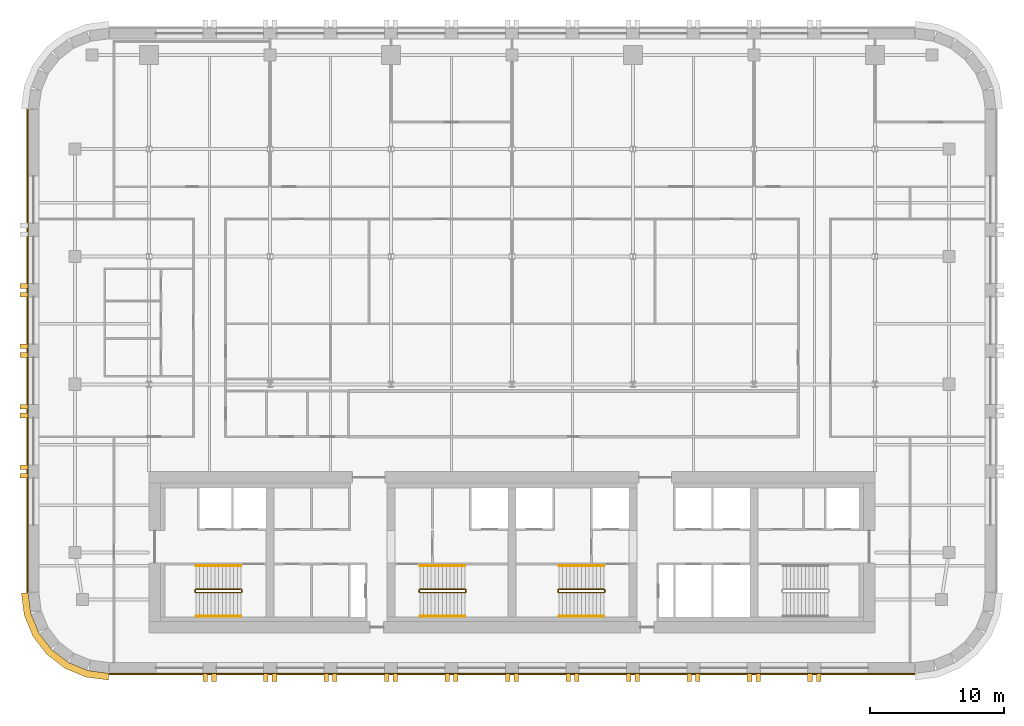
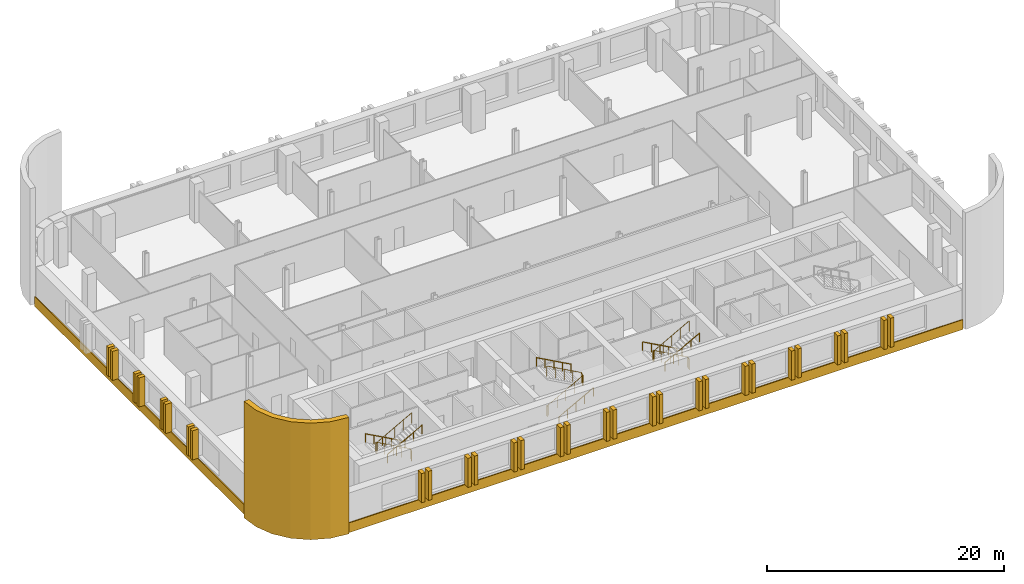
# One storey, part 8 of 9: 33 coverings, 9 railings.
"""IFC4 building model written with IfcOpenShell, lengths in metres."""

import ifcopenshell
import ifcopenshell.guid

model = None  # the IFC model being written
_history = None  # IfcOwnerHistory: only IFC2X3 demands one
_inside = {}  # id of a spatial element -> (the spatial element, [elements in it])
_under = {}  # id of a project, library or spatial element -> (it, [spatial elements below it])
_declared = {}  # id of a project -> (the project, [libraries it declares])
_typed = {}  # id of a type object -> (the type object, [elements of that type])
_made_of = {}  # id of a material, layer set ... -> (it, [elements and type objects made of it])


def new_model(schema):
    """Start an empty IFC model of exactly this schema.

    Asked for "IFC4X3", IfcOpenShell would pick the latest addendum, in which some entities
    have other attributes; the version numbers below select the first issue.
    IFC2X3 requires an IfcOwnerHistory on every rooted entity: one is made here for all.
    """
    global model, _history
    if schema == "IFC4X3":
        model = ifcopenshell.file(schema_version=(4, 3, 0, 0))
    else:
        model = ifcopenshell.file(schema=schema)
    _inside.clear()
    _under.clear()
    _declared.clear()
    _typed.clear()
    _made_of.clear()
    _history = None
    if model.schema == "IFC2X3":
        org = make("IfcOrganization", Name="unknown")
        user = make(
            "IfcPersonAndOrganization",
            ThePerson=make("IfcPerson", FamilyName="unknown"),
            TheOrganization=org,
        )
        app = make(
            "IfcApplication",
            ApplicationDeveloper=org,
            Version="unknown",
            ApplicationFullName="unknown",
            ApplicationIdentifier="unknown",
        )
        _history = make(
            "IfcOwnerHistory",
            OwningUser=user,
            OwningApplication=app,
            ChangeAction="ADDED",
            CreationDate=0,
        )
    return model


def make(cls, **values):
    """One entity of the class cls with the attributes given. An attribute that is None is left unset."""
    return model.create_entity(
        cls, **{name: value for name, value in values.items() if value is not None}
    )


def rooted(cls, **values):
    """An entity with a GlobalId (a new one), such as an element, a storey or a relation."""
    return make(cls, GlobalId=ifcopenshell.guid.new(), OwnerHistory=_history, **values)


def si_unit(unit_type, name, prefix=None):
    """IfcSIUnit, for example si_unit("LENGTHUNIT", "METRE", prefix="MILLI")."""
    return make("IfcSIUnit", UnitType=unit_type, Prefix=prefix, Name=name)


def assignment(units):
    """IfcUnitAssignment: the units of a project."""
    return None if units is None else make("IfcUnitAssignment", Units=units)


def point(xyz):
    """IfcCartesianPoint."""
    return None if xyz is None else make("IfcCartesianPoint", Coordinates=xyz)


def direction(xyz):
    """IfcDirection."""
    return None if xyz is None else make("IfcDirection", DirectionRatios=xyz)


def frame(location, z_axis=None, x_axis=None):
    """IfcAxis2Placement3D, a coordinate frame: its origin and axes. An axis left out is left unset."""
    return make(
        "IfcAxis2Placement3D",
        Location=point(location),
        Axis=direction(z_axis),
        RefDirection=direction(x_axis),
    )


def frame_2d(location, x_axis=None):
    """IfcAxis2Placement2D, a coordinate frame in the plane: its origin and x axis."""
    return make(
        "IfcAxis2Placement2D", Location=point(location), RefDirection=direction(x_axis)
    )


def origin():
    """The frame at (0, 0, 0) with its axes left unset."""
    return frame((0.0, 0.0, 0.0))


def origin_2d():
    """The frame at (0, 0) in the plane with its x axis left unset."""
    return frame_2d((0.0, 0.0))


def place(relative_to, where):
    """IfcLocalPlacement: puts the frame where relative to a parent placement (None: the world)."""
    return make(
        "IfcLocalPlacement", PlacementRelTo=relative_to, RelativePlacement=where
    )


def context(
    kind, dimensions, precision=None, world=None, true_north=None, identifier=None
):
    """IfcGeometricRepresentationContext, for example the 3D "Model" context."""
    return make(
        "IfcGeometricRepresentationContext",
        ContextIdentifier=identifier,
        ContextType=kind,
        CoordinateSpaceDimension=dimensions,
        Precision=precision,
        WorldCoordinateSystem=world,
        TrueNorth=true_north,
    )


def subcontext(parent, identifier, kind, view, scale=None):
    """IfcGeometricRepresentationSubContext, for example "Body" below "Model"."""
    return make(
        "IfcGeometricRepresentationSubContext",
        ContextIdentifier=identifier,
        ContextType=kind,
        ParentContext=parent,
        TargetScale=scale,
        TargetView=view,
    )


def project(units=None, contexts=None):
    """IfcProject with its units and contexts."""
    return rooted(
        "IfcProject",
        Name="project",
        RepresentationContexts=contexts,
        UnitsInContext=assignment(units),
    )


def spatial(cls, under=None, at=None, **own):
    """A site, building, storey or space (cls), placed at a placement, below another one or the project."""
    s = rooted(cls, ObjectPlacement=at, **own)
    if under is not None:
        _under.setdefault(under.id(), (under, []))[1].append(s)
    return s


def polyline(points):
    """IfcPolyline through the points."""
    return make("IfcPolyline", Points=[point(p) for p in points])


def profile(cls, at=None, kind="AREA", **sizes):
    """A parametric profile (cls). Its sizes go by their IFC names, for example OverallWidth=200.0."""
    return make(cls, ProfileType=kind, Position=at, **sizes)


def circle(**sizes):
    """IfcCircleProfileDef."""
    return profile("IfcCircleProfileDef", **sizes)


def outline(outer, holes=None, kind="AREA"):
    """IfcArbitraryClosedProfileDef: a profile drawn as a closed curve; with holes, ...WithVoids."""
    if holes is None:
        return make("IfcArbitraryClosedProfileDef", ProfileType=kind, OuterCurve=outer)
    return make(
        "IfcArbitraryProfileDefWithVoids",
        ProfileType=kind,
        OuterCurve=outer,
        InnerCurves=holes,
    )


def extrude(swept, where, along, depth):
    """IfcExtrudedAreaSolid: the profile swept, set in the frame where, extruded along a direction by depth."""
    return make(
        "IfcExtrudedAreaSolid",
        SweptArea=swept,
        Position=where,
        ExtrudedDirection=direction(along),
        Depth=depth,
    )


def shape(context_of_items, identifier, shape_type, items):
    """IfcShapeRepresentation: the items that make up one representation, for example the "Body"."""
    return make(
        "IfcShapeRepresentation",
        ContextOfItems=context_of_items,
        RepresentationIdentifier=identifier,
        RepresentationType=shape_type,
        Items=items,
    )


def material(Name=None, Category=None):
    """IfcMaterial."""
    return make("IfcMaterial", Name=Name, Category=Category)


def layer(
    of_material, thickness, ventilated=None, Name=None, Category=None, Priority=None
):
    """IfcMaterialLayer: one layer of a wall or slab, of a material (None: an air gap)."""
    return make(
        "IfcMaterialLayer",
        Material=of_material,
        LayerThickness=thickness,
        IsVentilated=ventilated,
        Name=Name,
        Category=Category,
        Priority=Priority,
    )


def layer_set(layers, Name=None):
    """IfcMaterialLayerSet."""
    return make("IfcMaterialLayerSet", MaterialLayers=layers, LayerSetName=Name)


def made_of(thing, what):
    """Note that an element or type object is made of a material, layer set ...; save() writes the relation."""
    if what is not None:
        _made_of.setdefault(what.id(), (what, []))[1].append(thing)
    return thing


def type_object(cls, material=None, **own):
    """A type object (cls), such as IfcWallType, which elements share."""
    return made_of(rooted(cls, **own), material)


def element(
    cls,
    number,
    at=None,
    inside=None,
    cuts=None,
    type_object=None,
    material=None,
    context=None,
    identifier="Body",
    shape_type=None,
    held_by="IfcProductDefinitionShape",
    body=None,
    shapes=None,
    **own,
):
    """One element of the class cls, such as IfcWall. Its Tag is "e" and its number.

    at: its placement. inside: the storey or other place that contains it. cuts: it is an
    opening in that element (IfcRelVoidsElement). A single representation is given by context,
    identifier, shape_type and body (its items); several are given by shapes. held_by: the class
    of the entity that holds the representations. save() writes the other relations.
    """
    e = rooted(cls, Tag="e%d" % number, ObjectPlacement=at, **own)
    if body is not None:
        shapes = [shape(context, identifier, shape_type, body)]
    if shapes is not None:
        e.Representation = make(held_by, Representations=shapes)
    if inside is not None:
        _inside.setdefault(inside.id(), (inside, []))[1].append(e)
    if cuts is not None:
        rooted(
            "IfcRelVoidsElement", RelatingBuildingElement=cuts, RelatedOpeningElement=e
        )
    if type_object is not None:
        _typed.setdefault(type_object.id(), (type_object, []))[1].append(e)
    return made_of(e, material)


def aggregate(whole, parts):
    """IfcRelAggregates: a whole, such as a stair, and the parts it consists of."""
    return rooted("IfcRelAggregates", RelatingObject=whole, RelatedObjects=parts)


def save(model, path):
    """Write the relations noted so far, then the file.

    IfcRelAggregates (storeys below a building ...), IfcRelContainedInSpatialStructure (elements
    in a storey), IfcRelDefinesByType, IfcRelAssociatesMaterial and IfcRelDeclares: one each for
    every whole, place, type object, material and project.
    """
    for whole, parts in _under.values():
        aggregate(whole, parts)
    for where, things in _inside.values():
        rooted(
            "IfcRelContainedInSpatialStructure",
            RelatedElements=things,
            RelatingStructure=where,
        )
    for kind, things in _typed.values():
        rooted("IfcRelDefinesByType", RelatedObjects=things, RelatingType=kind)
    for what, things in _made_of.values():
        rooted("IfcRelAssociatesMaterial", RelatedObjects=things, RelatingMaterial=what)
    for by, libraries in _declared.values():
        rooted("IfcRelDeclares", RelatingContext=by, RelatedDefinitions=libraries)
    model.write(path)


model = new_model("IFC4")

# Units and contexts
model_context = context("Model", 3, precision=1e-05, world=origin(), true_north=direction((0.0, 1.0)))
body_context = subcontext(model_context, "Body", "Model", "MODEL_VIEW")
ifc_project = project(units=[si_unit("LENGTHUNIT", "METRE"), si_unit("AREAUNIT", "SQUARE_METRE"), si_unit("VOLUMEUNIT", "CUBIC_METRE"), si_unit("PLANEANGLEUNIT", "RADIAN"), si_unit("MASSUNIT", "GRAM", prefix="KILO")], contexts=[model_context])

# Site, building, storey
site_placement = place(None, origin())
site = spatial("IfcSite", under=ifc_project, at=site_placement, CompositionType="ELEMENT")
building_placement = place(site_placement, origin())
building = spatial("IfcBuilding", under=site, at=building_placement, Name="Zellij Exchange Tower", CompositionType="ELEMENT")
storey_placement = place(building_placement, frame((0.0, 0.0, 176.5)))
storey = spatial("IfcBuildingStorey", under=building, at=storey_placement, Name="L40", CompositionType="ELEMENT", Elevation=176.5)

# Railings
ifc_material_1 = material(Name="Stainless steel", Category="steel")
railing_type_1 = type_object("IfcRailingType", Name="CORE-RG stair guard", PredefinedType="GUARDRAIL", material=ifc_material_1)
railing_1_placement = place(storey_placement, frame((-20.10009765625, -10.800048828125, 0.0)))
element("IfcRailing", 1, at=railing_1_placement, inside=storey, type_object=railing_type_1, Name="ST1 stair guard L40", PredefinedType="GUARDRAIL", context=body_context, shape_type="SweptSolid", body=[
    extrude(circle(Radius=0.02392578125, at=origin_2d()), frame((0.0, 0.0, 1.076171875), z_axis=(0.0, -1.0, 0.0), x_axis=(1.0, 0.0, 0.0)), (0.0, 0.0, 1.0), 0.14990234375),
    extrude(circle(Radius=0.02392578125, at=origin_2d()), frame((0.0, -0.14990234375, 1.076171875), z_axis=(-0.193691321961, 0.777613689637, 0.598164376644), x_axis=(-0.970351222016, -0.241699205484, 0.0)), (0.0, 0.0, 1.0), 0.257080078125),
    extrude(circle(Radius=0.02392578125, at=origin_2d()), frame((-0.0498046875, 0.050048828125, 1.22998046875), z_axis=(-0.876421534553, 0.0, 0.481544695509), x_axis=(0.0, -1.0, 0.0)), (0.0, 0.0, 1.0), 3.833984375),
    extrude(circle(Radius=0.02392578125, at=origin_2d()), frame((-3.409912109375, 0.050048828125, 3.076171875), z_axis=(-0.707106781187, -0.707106781187, 0.0), x_axis=(0.707106781187, -0.707106781187, 0.0)), (0.0, 0.0, 1.0), 0.07080078125),
    extrude(circle(Radius=0.02392578125, at=origin_2d()), frame((-3.4599609375, 0.0, 3.076171875), z_axis=(0.0, -1.0, 0.0), x_axis=(1.0, 0.0, 0.0)), (0.0, 0.0, 1.0), 0.14990234375),
    extrude(circle(Radius=0.02392578125, at=origin_2d()), frame((-3.4599609375, -0.14990234375, 3.076171875), z_axis=(0.295599637079, -0.295599637079, 0.908428152975), x_axis=(0.707106781187, 0.707106781187, 0.0)), (0.0, 0.0, 1.0), 0.16943359375),
    extrude(circle(Radius=0.02392578125, at=origin_2d()), frame((-3.409912109375, -0.199951171875, 3.22998046875), z_axis=(0.876421534553, 0.0, 0.481544695509), x_axis=(0.0, 1.0, 0.0)), (0.0, 0.0, 1.0), 3.833984375),
    extrude(circle(Radius=0.02099609375, at=origin_2d()), origin(), (0.0, 0.0, 1.0), 1.052001953125),
    extrude(circle(Radius=0.02099609375, at=origin_2d()), frame((0.0, -0.14990234375, 0.0)), (0.0, 0.0, 1.0), 1.052001953125),
    extrude(circle(Radius=0.02099609375, at=origin_2d()), frame((-0.0498046875, 0.050048828125, 0.15380859375)), (0.0, 0.0, 1.0), 1.052001953125),
    extrude(circle(Radius=0.02099609375, at=origin_2d()), frame((-0.889892578125, 0.050048828125, 0.615234375)), (0.0, 0.0, 1.0), 1.052001953125),
    extrude(circle(Radius=0.02099609375, at=origin_2d()), frame((-1.72998046875, 0.050048828125, 1.076904296875)), (0.0, 0.0, 1.0), 1.052001953125),
    extrude(circle(Radius=0.02099609375, at=origin_2d()), frame((-2.56982421875, 0.050048828125, 1.53857421875)), (0.0, 0.0, 1.0), 1.052001953125),
    extrude(circle(Radius=0.02099609375, at=origin_2d()), frame((-3.409912109375, 0.050048828125, 2.0)), (0.0, 0.0, 1.0), 1.052001953125),
    extrude(circle(Radius=0.02099609375, at=origin_2d()), frame((-3.4599609375, 0.0, 2.0)), (0.0, 0.0, 1.0), 1.052001953125),
    extrude(circle(Radius=0.02099609375, at=origin_2d()), frame((-3.4599609375, -0.14990234375, 2.0)), (0.0, 0.0, 1.0), 1.052001953125),
    extrude(circle(Radius=0.02099609375, at=origin_2d()), frame((-3.409912109375, -0.199951171875, 2.15380859375)), (0.0, 0.0, 1.0), 1.052001953125),
    extrude(circle(Radius=0.02099609375, at=origin_2d()), frame((-2.56982421875, -0.199951171875, 2.615234375)), (0.0, 0.0, 1.0), 1.052001953125),
    extrude(circle(Radius=0.02099609375, at=origin_2d()), frame((-1.72998046875, -0.199951171875, 3.076904296875)), (0.0, 0.0, 1.0), 1.052001953125),
    extrude(circle(Radius=0.02099609375, at=origin_2d()), frame((-0.889892578125, -0.199951171875, 3.53857421875)), (0.0, 0.0, 1.0), 1.052001953125),
    extrude(circle(Radius=0.02099609375, at=origin_2d()), frame((-0.0498046875, -0.199951171875, 4.0)), (0.0, 0.0, 1.0), 1.052001953125),
])
railing_2_placement = place(storey_placement, frame((-6.89990234375, -10.949951171875, 0.0)))
element("IfcRailing", 2, at=railing_2_placement, inside=storey, type_object=railing_type_1, Name="ST2 stair guard L40", PredefinedType="GUARDRAIL", context=body_context, shape_type="SweptSolid", body=[
    extrude(circle(Radius=0.02392578125, at=origin_2d()), frame((0.0, 0.0, 1.076171875), z_axis=(0.0, 1.0, 0.0), x_axis=(-1.0, 0.0, 0.0)), (0.0, 0.0, 1.0), 0.14990234375),
    extrude(circle(Radius=0.02392578125, at=origin_2d()), frame((0.0, 0.14990234375, 1.076171875), z_axis=(0.193691321961, -0.777613689637, 0.598164376644), x_axis=(0.970351222016, 0.241699205484, 0.0)), (0.0, 0.0, 1.0), 0.257080078125),
    extrude(circle(Radius=0.02392578125, at=origin_2d()), frame((0.0498046875, -0.050048828125, 1.22998046875), z_axis=(0.876421534553, 0.0, 0.481544695509), x_axis=(0.0, 1.0, 0.0)), (0.0, 0.0, 1.0), 3.833984375),
    extrude(circle(Radius=0.02392578125, at=origin_2d()), frame((3.409912109375, -0.050048828125, 3.076171875), z_axis=(0.707106781187, 0.707106781187, 0.0), x_axis=(-0.707106781187, 0.707106781187, 0.0)), (0.0, 0.0, 1.0), 0.07080078125),
    extrude(circle(Radius=0.02392578125, at=origin_2d()), frame((3.4599609375, 0.0, 3.076171875), z_axis=(0.0, 1.0, 0.0), x_axis=(-1.0, 0.0, 0.0)), (0.0, 0.0, 1.0), 0.14990234375),
    extrude(circle(Radius=0.02392578125, at=origin_2d()), frame((3.4599609375, 0.14990234375, 3.076171875), z_axis=(-0.295599637079, 0.295599637079, 0.908428152975), x_axis=(-0.707106781187, -0.707106781187, 0.0)), (0.0, 0.0, 1.0), 0.16943359375),
    extrude(circle(Radius=0.02392578125, at=origin_2d()), frame((3.409912109375, 0.199951171875, 3.22998046875), z_axis=(-0.876421534553, 0.0, 0.481544695509), x_axis=(0.0, -1.0, 0.0)), (0.0, 0.0, 1.0), 3.833984375),
    extrude(circle(Radius=0.02099609375, at=origin_2d()), origin(), (0.0, 0.0, 1.0), 1.052001953125),
    extrude(circle(Radius=0.02099609375, at=origin_2d()), frame((0.0, 0.14990234375, 0.0)), (0.0, 0.0, 1.0), 1.052001953125),
    extrude(circle(Radius=0.02099609375, at=origin_2d()), frame((0.0498046875, -0.050048828125, 0.15380859375)), (0.0, 0.0, 1.0), 1.052001953125),
    extrude(circle(Radius=0.02099609375, at=origin_2d()), frame((0.889892578125, -0.050048828125, 0.615234375)), (0.0, 0.0, 1.0), 1.052001953125),
    extrude(circle(Radius=0.02099609375, at=origin_2d()), frame((1.72998046875, -0.050048828125, 1.076904296875)), (0.0, 0.0, 1.0), 1.052001953125),
    extrude(circle(Radius=0.02099609375, at=origin_2d()), frame((2.56982421875, -0.050048828125, 1.53857421875)), (0.0, 0.0, 1.0), 1.052001953125),
    extrude(circle(Radius=0.02099609375, at=origin_2d()), frame((3.409912109375, -0.050048828125, 2.0)), (0.0, 0.0, 1.0), 1.052001953125),
    extrude(circle(Radius=0.02099609375, at=origin_2d()), frame((3.4599609375, 0.0, 2.0)), (0.0, 0.0, 1.0), 1.052001953125),
    extrude(circle(Radius=0.02099609375, at=origin_2d()), frame((3.4599609375, 0.14990234375, 2.0)), (0.0, 0.0, 1.0), 1.052001953125),
    extrude(circle(Radius=0.02099609375, at=origin_2d()), frame((3.409912109375, 0.199951171875, 2.15380859375)), (0.0, 0.0, 1.0), 1.052001953125),
    extrude(circle(Radius=0.02099609375, at=origin_2d()), frame((2.56982421875, 0.199951171875, 2.615234375)), (0.0, 0.0, 1.0), 1.052001953125),
    extrude(circle(Radius=0.02099609375, at=origin_2d()), frame((1.72998046875, 0.199951171875, 3.076904296875)), (0.0, 0.0, 1.0), 1.052001953125),
    extrude(circle(Radius=0.02099609375, at=origin_2d()), frame((0.889892578125, 0.199951171875, 3.53857421875)), (0.0, 0.0, 1.0), 1.052001953125),
    extrude(circle(Radius=0.02099609375, at=origin_2d()), frame((0.0498046875, 0.199951171875, 4.0)), (0.0, 0.0, 1.0), 1.052001953125),
])
railing_3_placement = place(storey_placement, frame((6.89990234375, -10.800048828125, 0.0)))
element("IfcRailing", 3, at=railing_3_placement, inside=storey, type_object=railing_type_1, Name="ST3 stair guard L40", PredefinedType="GUARDRAIL", context=body_context, shape_type="SweptSolid", body=[
    extrude(circle(Radius=0.02392578125, at=origin_2d()), frame((0.0, 0.0, 1.076171875), z_axis=(0.0, -1.0, 0.0), x_axis=(1.0, 0.0, 0.0)), (0.0, 0.0, 1.0), 0.14990234375),
    extrude(circle(Radius=0.02392578125, at=origin_2d()), frame((0.0, -0.14990234375, 1.076171875), z_axis=(-0.193691321961, 0.777613689637, 0.598164376644), x_axis=(-0.970351222016, -0.241699205484, 0.0)), (0.0, 0.0, 1.0), 0.257080078125),
    extrude(circle(Radius=0.02392578125, at=origin_2d()), frame((-0.0498046875, 0.050048828125, 1.22998046875), z_axis=(-0.876421534553, 0.0, 0.481544695509), x_axis=(0.0, -1.0, 0.0)), (0.0, 0.0, 1.0), 3.833984375),
    extrude(circle(Radius=0.02392578125, at=origin_2d()), frame((-3.409912109375, 0.050048828125, 3.076171875), z_axis=(-0.707106781187, -0.707106781187, 0.0), x_axis=(0.707106781187, -0.707106781187, 0.0)), (0.0, 0.0, 1.0), 0.07080078125),
    extrude(circle(Radius=0.02392578125, at=origin_2d()), frame((-3.4599609375, 0.0, 3.076171875), z_axis=(0.0, -1.0, 0.0), x_axis=(1.0, 0.0, 0.0)), (0.0, 0.0, 1.0), 0.14990234375),
    extrude(circle(Radius=0.02392578125, at=origin_2d()), frame((-3.4599609375, -0.14990234375, 3.076171875), z_axis=(0.295599637079, -0.295599637079, 0.908428152975), x_axis=(0.707106781187, 0.707106781187, 0.0)), (0.0, 0.0, 1.0), 0.16943359375),
    extrude(circle(Radius=0.02392578125, at=origin_2d()), frame((-3.409912109375, -0.199951171875, 3.22998046875), z_axis=(0.876421534553, 0.0, 0.481544695509), x_axis=(0.0, 1.0, 0.0)), (0.0, 0.0, 1.0), 3.833984375),
    extrude(circle(Radius=0.02099609375, at=origin_2d()), origin(), (0.0, 0.0, 1.0), 1.052001953125),
    extrude(circle(Radius=0.02099609375, at=origin_2d()), frame((0.0, -0.14990234375, 0.0)), (0.0, 0.0, 1.0), 1.052001953125),
    extrude(circle(Radius=0.02099609375, at=origin_2d()), frame((-0.0498046875, 0.050048828125, 0.15380859375)), (0.0, 0.0, 1.0), 1.052001953125),
    extrude(circle(Radius=0.02099609375, at=origin_2d()), frame((-0.889892578125, 0.050048828125, 0.615234375)), (0.0, 0.0, 1.0), 1.052001953125),
    extrude(circle(Radius=0.02099609375, at=origin_2d()), frame((-1.72998046875, 0.050048828125, 1.076904296875)), (0.0, 0.0, 1.0), 1.052001953125),
    extrude(circle(Radius=0.02099609375, at=origin_2d()), frame((-2.56982421875, 0.050048828125, 1.53857421875)), (0.0, 0.0, 1.0), 1.052001953125),
    extrude(circle(Radius=0.02099609375, at=origin_2d()), frame((-3.409912109375, 0.050048828125, 2.0)), (0.0, 0.0, 1.0), 1.052001953125),
    extrude(circle(Radius=0.02099609375, at=origin_2d()), frame((-3.4599609375, 0.0, 2.0)), (0.0, 0.0, 1.0), 1.052001953125),
    extrude(circle(Radius=0.02099609375, at=origin_2d()), frame((-3.4599609375, -0.14990234375, 2.0)), (0.0, 0.0, 1.0), 1.052001953125),
    extrude(circle(Radius=0.02099609375, at=origin_2d()), frame((-3.409912109375, -0.199951171875, 2.15380859375)), (0.0, 0.0, 1.0), 1.052001953125),
    extrude(circle(Radius=0.02099609375, at=origin_2d()), frame((-2.56982421875, -0.199951171875, 2.615234375)), (0.0, 0.0, 1.0), 1.052001953125),
    extrude(circle(Radius=0.02099609375, at=origin_2d()), frame((-1.72998046875, -0.199951171875, 3.076904296875)), (0.0, 0.0, 1.0), 1.052001953125),
    extrude(circle(Radius=0.02099609375, at=origin_2d()), frame((-0.889892578125, -0.199951171875, 3.53857421875)), (0.0, 0.0, 1.0), 1.052001953125),
    extrude(circle(Radius=0.02099609375, at=origin_2d()), frame((-0.0498046875, -0.199951171875, 4.0)), (0.0, 0.0, 1.0), 1.052001953125),
])
railing_type_2 = type_object("IfcRailingType", Name="CORE-RH stair handrail", PredefinedType="HANDRAIL", material=ifc_material_1)
railing_4_placement = place(storey_placement, frame((-20.14990234375, -9.0, 0.15380859375)))
element("IfcRailing", 4, at=railing_4_placement, inside=storey, type_object=railing_type_2, Name="ST1 stair handrail L40", PredefinedType="HANDRAIL", context=body_context, shape_type="SweptSolid", body=[
    extrude(circle(Radius=0.02392578125, at=origin_2d()), frame((0.0, 0.0, 0.8759765625), z_axis=(-0.876421534553, 0.0, 0.481544695509), x_axis=(0.0, -1.0, 0.0)), (0.0, 0.0, 1.0), 3.833984375),
    extrude(circle(Radius=0.02099609375, at=origin_2d()), origin(), (0.0, 0.0, 1.0), 0.851806640625),
    extrude(circle(Radius=0.02099609375, at=origin_2d()), frame((-0.840087890625, 0.0, 0.46142578125)), (0.0, 0.0, 1.0), 0.851806640625),
    extrude(circle(Radius=0.02099609375, at=origin_2d()), frame((-1.68017578125, 0.0, 0.923095703125)), (0.0, 0.0, 1.0), 0.851806640625),
    extrude(circle(Radius=0.02099609375, at=origin_2d()), frame((-2.52001953125, 0.0, 1.384765625)), (0.0, 0.0, 1.0), 0.851806640625),
    extrude(circle(Radius=0.02099609375, at=origin_2d()), frame((-3.360107421875, 0.0, 1.84619140625)), (0.0, 0.0, 1.0), 0.851806640625),
])
for number, where, name in (
    (5, (-23.510009765625, -12.75, 2.15380859375), "ST1 stair handrail L40"),
    (6, (-6.85009765625, -12.75, 0.15380859375), "ST2 stair handrail L40"),
):
    element("IfcRailing", number, at=place(storey_placement, frame(where)), inside=storey, type_object=railing_type_2, Name=name, PredefinedType="HANDRAIL", context=body_context, shape_type="SweptSolid", body=[
        extrude(circle(Radius=0.02392578125, at=origin_2d()), frame((0.0, 0.0, 0.8759765625), z_axis=(0.876421534553, 0.0, 0.481544695509), x_axis=(0.0, 1.0, 0.0)), (0.0, 0.0, 1.0), 3.833984375),
        extrude(circle(Radius=0.02099609375, at=origin_2d()), origin(), (0.0, 0.0, 1.0), 0.851806640625),
        extrude(circle(Radius=0.02099609375, at=origin_2d()), frame((0.840087890625, 0.0, 0.46142578125)), (0.0, 0.0, 1.0), 0.851806640625),
        extrude(circle(Radius=0.02099609375, at=origin_2d()), frame((1.68017578125, 0.0, 0.923095703125)), (0.0, 0.0, 1.0), 0.851806640625),
        extrude(circle(Radius=0.02099609375, at=origin_2d()), frame((2.52001953125, 0.0, 1.384765625)), (0.0, 0.0, 1.0), 0.851806640625),
        extrude(circle(Radius=0.02099609375, at=origin_2d()), frame((3.360107421875, 0.0, 1.84619140625)), (0.0, 0.0, 1.0), 0.851806640625),
    ])
for number, where, name in (
    (7, (-3.489990234375, -9.0, 2.15380859375), "ST2 stair handrail L40"),
    (8, (6.85009765625, -9.0, 0.15380859375), "ST3 stair handrail L40"),
):
    element("IfcRailing", number, at=place(storey_placement, frame(where)), inside=storey, type_object=railing_type_2, Name=name, PredefinedType="HANDRAIL", context=body_context, shape_type="SweptSolid", body=[
        extrude(circle(Radius=0.02392578125, at=origin_2d()), frame((0.0, 0.0, 0.8759765625), z_axis=(-0.876421534553, 0.0, 0.481544695509), x_axis=(0.0, -1.0, 0.0)), (0.0, 0.0, 1.0), 3.833984375),
        extrude(circle(Radius=0.02099609375, at=origin_2d()), origin(), (0.0, 0.0, 1.0), 0.851806640625),
        extrude(circle(Radius=0.02099609375, at=origin_2d()), frame((-0.840087890625, 0.0, 0.46142578125)), (0.0, 0.0, 1.0), 0.851806640625),
        extrude(circle(Radius=0.02099609375, at=origin_2d()), frame((-1.68017578125, 0.0, 0.923095703125)), (0.0, 0.0, 1.0), 0.851806640625),
        extrude(circle(Radius=0.02099609375, at=origin_2d()), frame((-2.52001953125, 0.0, 1.384765625)), (0.0, 0.0, 1.0), 0.851806640625),
        extrude(circle(Radius=0.02099609375, at=origin_2d()), frame((-3.360107421875, 0.0, 1.84619140625)), (0.0, 0.0, 1.0), 0.851806640625),
    ])
railing_5_placement = place(storey_placement, frame((3.489990234375, -12.75, 2.15380859375)))
element("IfcRailing", 9, at=railing_5_placement, inside=storey, type_object=railing_type_2, Name="ST3 stair handrail L40", PredefinedType="HANDRAIL", context=body_context, shape_type="SweptSolid", body=[
    extrude(circle(Radius=0.02392578125, at=origin_2d()), frame((0.0, 0.0, 0.8759765625), z_axis=(0.876421534553, 0.0, 0.481544695509), x_axis=(0.0, 1.0, 0.0)), (0.0, 0.0, 1.0), 3.833984375),
    extrude(circle(Radius=0.02099609375, at=origin_2d()), origin(), (0.0, 0.0, 1.0), 0.851806640625),
    extrude(circle(Radius=0.02099609375, at=origin_2d()), frame((0.840087890625, 0.0, 0.46142578125)), (0.0, 0.0, 1.0), 0.851806640625),
    extrude(circle(Radius=0.02099609375, at=origin_2d()), frame((1.68017578125, 0.0, 0.923095703125)), (0.0, 0.0, 1.0), 0.851806640625),
    extrude(circle(Radius=0.02099609375, at=origin_2d()), frame((2.52001953125, 0.0, 1.384765625)), (0.0, 0.0, 1.0), 0.851806640625),
    extrude(circle(Radius=0.02099609375, at=origin_2d()), frame((3.360107421875, 0.0, 1.84619140625)), (0.0, 0.0, 1.0), 0.851806640625),
])

# Coverings
ifc_material_2 = material(Name="Limestone cladding", Category="masonry")
ifc_layer_1 = layer(ifc_material_2, 0.5)
ifc_layer_set_1 = layer_set([ifc_layer_1], Name="Limestone cladding")
covering_type_1 = type_object("IfcCoveringType", Name="ENV-CV12 Stone corner pier 500", PredefinedType="CLADDING", material=ifc_layer_set_1)
covering_1_placement = place(storey_placement, origin())
element("IfcCovering", 10, at=covering_1_placement, inside=storey, type_object=covering_type_1, Name="Stone corner pier", PredefinedType="CLADDING", context=body_context, shape_type="SweptSolid", body=[
    extrude(outline(polyline([(-36.0, -11.0), (-35.795654296875, -12.552978515625), (-35.1962890625, -14.0), (-34.24267578125, -15.24267578125), (-33.0, -16.1962890625), (-31.552978515625, -16.795654296875), (-30.0, -17.0), (-30.03271484375, -17.5), (-31.683349609375, -17.28271484375), (-33.252197265625, -16.6328125), (-34.59912109375, -15.59912109375), (-35.6328125, -14.252197265625), (-36.28271484375, -12.683349609375), (-36.5, -11.03271484375), (-36.0, -11.0)])), origin(), (0.0, 0.0, 1.0), 12.0),
])
covering_type_2 = type_object("IfcCoveringType", Name="ENV-CV3 Stone pier 350x600", PredefinedType="CLADDING", material=ifc_material_2)
covering_2_placement = place(storey_placement, frame((0.0, 0.0, 0.800048828125)))
element("IfcCovering", 11, at=covering_2_placement, inside=storey, type_object=covering_type_2, Name="Stone pier", PredefinedType="CLADDING", context=body_context, shape_type="SweptSolid", body=[
    extrude(outline(polyline([(-23.0, -17.0), (-22.64990234375, -17.0), (-22.64990234375, -17.60009765625), (-23.0, -17.60009765625), (-23.0, -17.0)])), origin(), (0.0, 0.0, 1.0), 3.0),
])
covering_3_placement = place(storey_placement, frame((0.0, 0.0, 0.800048828125)))
element("IfcCovering", 12, at=covering_3_placement, inside=storey, type_object=covering_type_2, Name="Stone pier", PredefinedType="CLADDING", context=body_context, shape_type="SweptSolid", body=[
    extrude(outline(polyline([(-22.35009765625, -17.0), (-22.0, -17.0), (-22.0, -17.60009765625), (-22.35009765625, -17.60009765625), (-22.35009765625, -17.0)])), origin(), (0.0, 0.0, 1.0), 3.0),
])
covering_4_placement = place(storey_placement, frame((0.0, 0.0, 0.800048828125)))
element("IfcCovering", 13, at=covering_4_placement, inside=storey, type_object=covering_type_2, Name="Stone pier", PredefinedType="CLADDING", context=body_context, shape_type="SweptSolid", body=[
    extrude(outline(polyline([(-18.5, -17.0), (-18.14990234375, -17.0), (-18.14990234375, -17.60009765625), (-18.5, -17.60009765625), (-18.5, -17.0)])), origin(), (0.0, 0.0, 1.0), 3.0),
])
covering_5_placement = place(storey_placement, frame((0.0, 0.0, 0.800048828125)))
element("IfcCovering", 14, at=covering_5_placement, inside=storey, type_object=covering_type_2, Name="Stone pier", PredefinedType="CLADDING", context=body_context, shape_type="SweptSolid", body=[
    extrude(outline(polyline([(-17.85009765625, -17.0), (-17.5, -17.0), (-17.5, -17.60009765625), (-17.85009765625, -17.60009765625), (-17.85009765625, -17.0)])), origin(), (0.0, 0.0, 1.0), 3.0),
])
covering_6_placement = place(storey_placement, frame((0.0, 0.0, 0.800048828125)))
element("IfcCovering", 15, at=covering_6_placement, inside=storey, type_object=covering_type_2, Name="Stone pier", PredefinedType="CLADDING", context=body_context, shape_type="SweptSolid", body=[
    extrude(outline(polyline([(-14.0, -17.0), (-13.64990234375, -17.0), (-13.64990234375, -17.60009765625), (-14.0, -17.60009765625), (-14.0, -17.0)])), origin(), (0.0, 0.0, 1.0), 3.0),
])
covering_7_placement = place(storey_placement, frame((0.0, 0.0, 0.800048828125)))
element("IfcCovering", 16, at=covering_7_placement, inside=storey, type_object=covering_type_2, Name="Stone pier", PredefinedType="CLADDING", context=body_context, shape_type="SweptSolid", body=[
    extrude(outline(polyline([(-13.35009765625, -17.0), (-13.0, -17.0), (-13.0, -17.60009765625), (-13.35009765625, -17.60009765625), (-13.35009765625, -17.0)])), origin(), (0.0, 0.0, 1.0), 3.0),
])
covering_8_placement = place(storey_placement, frame((0.0, 0.0, 0.800048828125)))
element("IfcCovering", 17, at=covering_8_placement, inside=storey, type_object=covering_type_2, Name="Stone pier", PredefinedType="CLADDING", context=body_context, shape_type="SweptSolid", body=[
    extrude(outline(polyline([(-9.5, -17.0), (-9.14990234375, -17.0), (-9.14990234375, -17.60009765625), (-9.5, -17.60009765625), (-9.5, -17.0)])), origin(), (0.0, 0.0, 1.0), 3.0),
])
covering_9_placement = place(storey_placement, frame((0.0, 0.0, 0.800048828125)))
element("IfcCovering", 18, at=covering_9_placement, inside=storey, type_object=covering_type_2, Name="Stone pier", PredefinedType="CLADDING", context=body_context, shape_type="SweptSolid", body=[
    extrude(outline(polyline([(-8.85009765625, -17.0), (-8.5, -17.0), (-8.5, -17.60009765625), (-8.85009765625, -17.60009765625), (-8.85009765625, -17.0)])), origin(), (0.0, 0.0, 1.0), 3.0),
])
covering_10_placement = place(storey_placement, frame((0.0, 0.0, 0.800048828125)))
element("IfcCovering", 19, at=covering_10_placement, inside=storey, type_object=covering_type_2, Name="Stone pier", PredefinedType="CLADDING", context=body_context, shape_type="SweptSolid", body=[
    extrude(outline(polyline([(-5.0, -17.0), (-4.64990234375, -17.0), (-4.64990234375, -17.60009765625), (-5.0, -17.60009765625), (-5.0, -17.0)])), origin(), (0.0, 0.0, 1.0), 3.0),
])
covering_11_placement = place(storey_placement, frame((0.0, 0.0, 0.800048828125)))
element("IfcCovering", 20, at=covering_11_placement, inside=storey, type_object=covering_type_2, Name="Stone pier", PredefinedType="CLADDING", context=body_context, shape_type="SweptSolid", body=[
    extrude(outline(polyline([(-4.35009765625, -17.0), (-4.0, -17.0), (-4.0, -17.60009765625), (-4.35009765625, -17.60009765625), (-4.35009765625, -17.0)])), origin(), (0.0, 0.0, 1.0), 3.0),
])
covering_12_placement = place(storey_placement, frame((0.0, 0.0, 0.800048828125)))
element("IfcCovering", 21, at=covering_12_placement, inside=storey, type_object=covering_type_2, Name="Stone pier", PredefinedType="CLADDING", context=body_context, shape_type="SweptSolid", body=[
    extrude(outline(polyline([(-0.5, -17.0), (-0.14990234375, -17.0), (-0.14990234375, -17.60009765625), (-0.5, -17.60009765625), (-0.5, -17.0)])), origin(), (0.0, 0.0, 1.0), 3.0),
])
covering_13_placement = place(storey_placement, frame((0.0, 0.0, 0.800048828125)))
element("IfcCovering", 22, at=covering_13_placement, inside=storey, type_object=covering_type_2, Name="Stone pier", PredefinedType="CLADDING", context=body_context, shape_type="SweptSolid", body=[
    extrude(outline(polyline([(0.14990234375, -17.0), (0.5, -17.0), (0.5, -17.60009765625), (0.14990234375, -17.60009765625), (0.14990234375, -17.0)])), origin(), (0.0, 0.0, 1.0), 3.0),
])
covering_14_placement = place(storey_placement, frame((0.0, 0.0, 0.800048828125)))
element("IfcCovering", 23, at=covering_14_placement, inside=storey, type_object=covering_type_2, Name="Stone pier", PredefinedType="CLADDING", context=body_context, shape_type="SweptSolid", body=[
    extrude(outline(polyline([(4.0, -17.0), (4.35009765625, -17.0), (4.35009765625, -17.60009765625), (4.0, -17.60009765625), (4.0, -17.0)])), origin(), (0.0, 0.0, 1.0), 3.0),
])
covering_15_placement = place(storey_placement, frame((0.0, 0.0, 0.800048828125)))
element("IfcCovering", 24, at=covering_15_placement, inside=storey, type_object=covering_type_2, Name="Stone pier", PredefinedType="CLADDING", context=body_context, shape_type="SweptSolid", body=[
    extrude(outline(polyline([(4.64990234375, -17.0), (5.0, -17.0), (5.0, -17.60009765625), (4.64990234375, -17.60009765625), (4.64990234375, -17.0)])), origin(), (0.0, 0.0, 1.0), 3.0),
])
covering_16_placement = place(storey_placement, frame((0.0, 0.0, 0.800048828125)))
element("IfcCovering", 25, at=covering_16_placement, inside=storey, type_object=covering_type_2, Name="Stone pier", PredefinedType="CLADDING", context=body_context, shape_type="SweptSolid", body=[
    extrude(outline(polyline([(8.5, -17.0), (8.85009765625, -17.0), (8.85009765625, -17.60009765625), (8.5, -17.60009765625), (8.5, -17.0)])), origin(), (0.0, 0.0, 1.0), 3.0),
])
covering_17_placement = place(storey_placement, frame((0.0, 0.0, 0.800048828125)))
element("IfcCovering", 26, at=covering_17_placement, inside=storey, type_object=covering_type_2, Name="Stone pier", PredefinedType="CLADDING", context=body_context, shape_type="SweptSolid", body=[
    extrude(outline(polyline([(9.14990234375, -17.0), (9.5, -17.0), (9.5, -17.60009765625), (9.14990234375, -17.60009765625), (9.14990234375, -17.0)])), origin(), (0.0, 0.0, 1.0), 3.0),
])
covering_18_placement = place(storey_placement, frame((0.0, 0.0, 0.800048828125)))
element("IfcCovering", 27, at=covering_18_placement, inside=storey, type_object=covering_type_2, Name="Stone pier", PredefinedType="CLADDING", context=body_context, shape_type="SweptSolid", body=[
    extrude(outline(polyline([(13.0, -17.0), (13.35009765625, -17.0), (13.35009765625, -17.60009765625), (13.0, -17.60009765625), (13.0, -17.0)])), origin(), (0.0, 0.0, 1.0), 3.0),
])
covering_19_placement = place(storey_placement, frame((0.0, 0.0, 0.800048828125)))
element("IfcCovering", 28, at=covering_19_placement, inside=storey, type_object=covering_type_2, Name="Stone pier", PredefinedType="CLADDING", context=body_context, shape_type="SweptSolid", body=[
    extrude(outline(polyline([(13.64990234375, -17.0), (14.0, -17.0), (14.0, -17.60009765625), (13.64990234375, -17.60009765625), (13.64990234375, -17.0)])), origin(), (0.0, 0.0, 1.0), 3.0),
])
covering_20_placement = place(storey_placement, frame((0.0, 0.0, 0.800048828125)))
element("IfcCovering", 29, at=covering_20_placement, inside=storey, type_object=covering_type_2, Name="Stone pier", PredefinedType="CLADDING", context=body_context, shape_type="SweptSolid", body=[
    extrude(outline(polyline([(17.5, -17.0), (17.85009765625, -17.0), (17.85009765625, -17.60009765625), (17.5, -17.60009765625), (17.5, -17.0)])), origin(), (0.0, 0.0, 1.0), 3.0),
])
covering_21_placement = place(storey_placement, frame((0.0, 0.0, 0.800048828125)))
element("IfcCovering", 30, at=covering_21_placement, inside=storey, type_object=covering_type_2, Name="Stone pier", PredefinedType="CLADDING", context=body_context, shape_type="SweptSolid", body=[
    extrude(outline(polyline([(18.14990234375, -17.0), (18.5, -17.0), (18.5, -17.60009765625), (18.14990234375, -17.60009765625), (18.14990234375, -17.0)])), origin(), (0.0, 0.0, 1.0), 3.0),
])
covering_22_placement = place(storey_placement, frame((0.0, 0.0, 0.800048828125)))
element("IfcCovering", 31, at=covering_22_placement, inside=storey, type_object=covering_type_2, Name="Stone pier", PredefinedType="CLADDING", context=body_context, shape_type="SweptSolid", body=[
    extrude(outline(polyline([(22.0, -17.0), (22.35009765625, -17.0), (22.35009765625, -17.60009765625), (22.0, -17.60009765625), (22.0, -17.0)])), origin(), (0.0, 0.0, 1.0), 3.0),
])
covering_23_placement = place(storey_placement, frame((0.0, 0.0, 0.800048828125)))
element("IfcCovering", 32, at=covering_23_placement, inside=storey, type_object=covering_type_2, Name="Stone pier", PredefinedType="CLADDING", context=body_context, shape_type="SweptSolid", body=[
    extrude(outline(polyline([(22.64990234375, -17.0), (23.0, -17.0), (23.0, -17.60009765625), (22.64990234375, -17.60009765625), (22.64990234375, -17.0)])), origin(), (0.0, 0.0, 1.0), 3.0),
])
covering_24_placement = place(storey_placement, frame((0.0, 0.0, 0.800048828125)))
element("IfcCovering", 33, at=covering_24_placement, inside=storey, type_object=covering_type_2, Name="Stone pier", PredefinedType="CLADDING", context=body_context, shape_type="SweptSolid", body=[
    extrude(outline(polyline([(-36.0, 11.993408203125), (-36.0, 11.6435546875), (-36.60009765625, 11.6435546875), (-36.60009765625, 11.993408203125), (-36.0, 11.993408203125)])), origin(), (0.0, 0.0, 1.0), 3.0),
])
covering_25_placement = place(storey_placement, frame((0.0, 0.0, 0.800048828125)))
element("IfcCovering", 34, at=covering_25_placement, inside=storey, type_object=covering_type_2, Name="Stone pier", PredefinedType="CLADDING", context=body_context, shape_type="SweptSolid", body=[
    extrude(outline(polyline([(-36.0, 11.343505859375), (-36.0, 10.993408203125), (-36.60009765625, 10.993408203125), (-36.60009765625, 11.343505859375), (-36.0, 11.343505859375)])), origin(), (0.0, 0.0, 1.0), 3.0),
])
covering_26_placement = place(storey_placement, frame((0.0, 0.0, 0.800048828125)))
element("IfcCovering", 35, at=covering_26_placement, inside=storey, type_object=covering_type_2, Name="Stone pier", PredefinedType="CLADDING", context=body_context, shape_type="SweptSolid", body=[
    extrude(outline(polyline([(-36.0, 7.5), (-36.0, 7.14990234375), (-36.60009765625, 7.14990234375), (-36.60009765625, 7.5), (-36.0, 7.5)])), origin(), (0.0, 0.0, 1.0), 3.0),
])
covering_27_placement = place(storey_placement, frame((0.0, 0.0, 0.800048828125)))
element("IfcCovering", 36, at=covering_27_placement, inside=storey, type_object=covering_type_2, Name="Stone pier", PredefinedType="CLADDING", context=body_context, shape_type="SweptSolid", body=[
    extrude(outline(polyline([(-36.0, 6.85009765625), (-36.0, 6.5), (-36.60009765625, 6.5), (-36.60009765625, 6.85009765625), (-36.0, 6.85009765625)])), origin(), (0.0, 0.0, 1.0), 3.0),
])
covering_28_placement = place(storey_placement, frame((0.0, 0.0, 0.800048828125)))
element("IfcCovering", 37, at=covering_28_placement, inside=storey, type_object=covering_type_2, Name="Stone pier", PredefinedType="CLADDING", context=body_context, shape_type="SweptSolid", body=[
    extrude(outline(polyline([(-36.0, 3.006591796875), (-36.0, 2.656494140625), (-36.60009765625, 2.656494140625), (-36.60009765625, 3.006591796875), (-36.0, 3.006591796875)])), origin(), (0.0, 0.0, 1.0), 3.0),
])
covering_29_placement = place(storey_placement, frame((0.0, 0.0, 0.800048828125)))
element("IfcCovering", 38, at=covering_29_placement, inside=storey, type_object=covering_type_2, Name="Stone pier", PredefinedType="CLADDING", context=body_context, shape_type="SweptSolid", body=[
    extrude(outline(polyline([(-36.0, 2.356689453125), (-36.0, 2.006591796875), (-36.60009765625, 2.006591796875), (-36.60009765625, 2.356689453125), (-36.0, 2.356689453125)])), origin(), (0.0, 0.0, 1.0), 3.0),
])
covering_30_placement = place(storey_placement, frame((0.0, 0.0, 0.800048828125)))
element("IfcCovering", 39, at=covering_30_placement, inside=storey, type_object=covering_type_2, Name="Stone pier", PredefinedType="CLADDING", context=body_context, shape_type="SweptSolid", body=[
    extrude(outline(polyline([(-36.0, -1.48681640625), (-36.0, -1.8369140625), (-36.60009765625, -1.8369140625), (-36.60009765625, -1.48681640625), (-36.0, -1.48681640625)])), origin(), (0.0, 0.0, 1.0), 3.0),
])
covering_31_placement = place(storey_placement, frame((0.0, 0.0, 0.800048828125)))
element("IfcCovering", 40, at=covering_31_placement, inside=storey, type_object=covering_type_2, Name="Stone pier", PredefinedType="CLADDING", context=body_context, shape_type="SweptSolid", body=[
    extrude(outline(polyline([(-36.0, -2.136962890625), (-36.0, -2.48681640625), (-36.60009765625, -2.48681640625), (-36.60009765625, -2.136962890625), (-36.0, -2.136962890625)])), origin(), (0.0, 0.0, 1.0), 3.0),
])
ifc_layer_2 = layer(ifc_material_2, 0.10009765625)
ifc_layer_set_2 = layer_set([ifc_layer_2], Name="Limestone cladding")
covering_type_3 = type_object("IfcCoveringType", Name="ENV-CV9 Stone spandrel band 100", PredefinedType="CLADDING", material=ifc_layer_set_2)
covering_32_placement = place(storey_placement, frame((0.0, 0.0, -0.199951171875)))
element("IfcCovering", 41, at=covering_32_placement, inside=storey, type_object=covering_type_3, Name="Stone spandrel band", PredefinedType="CLADDING", context=body_context, shape_type="SweptSolid", body=[
    extrude(outline(polyline([(-29.973876953125, -17.0), (29.973876953125, -17.0), (29.980224609375, -17.10009765625), (-29.980224609375, -17.10009765625), (-29.973876953125, -17.0)])), origin(), (0.0, 0.0, 1.0), 1.0),
])
covering_33_placement = place(storey_placement, frame((0.0, 0.0, -0.199951171875)))
element("IfcCovering", 42, at=covering_33_placement, inside=storey, type_object=covering_type_3, Name="Stone spandrel band", PredefinedType="CLADDING", context=body_context, shape_type="SweptSolid", body=[
    extrude(outline(polyline([(-36.0, 24.973876953125), (-36.0, -10.973876953125), (-36.10009765625, -10.980224609375), (-36.10009765625, 24.980224609375), (-36.0, 24.973876953125)])), origin(), (0.0, 0.0, 1.0), 1.0),
])

save(model, "model.ifc")
